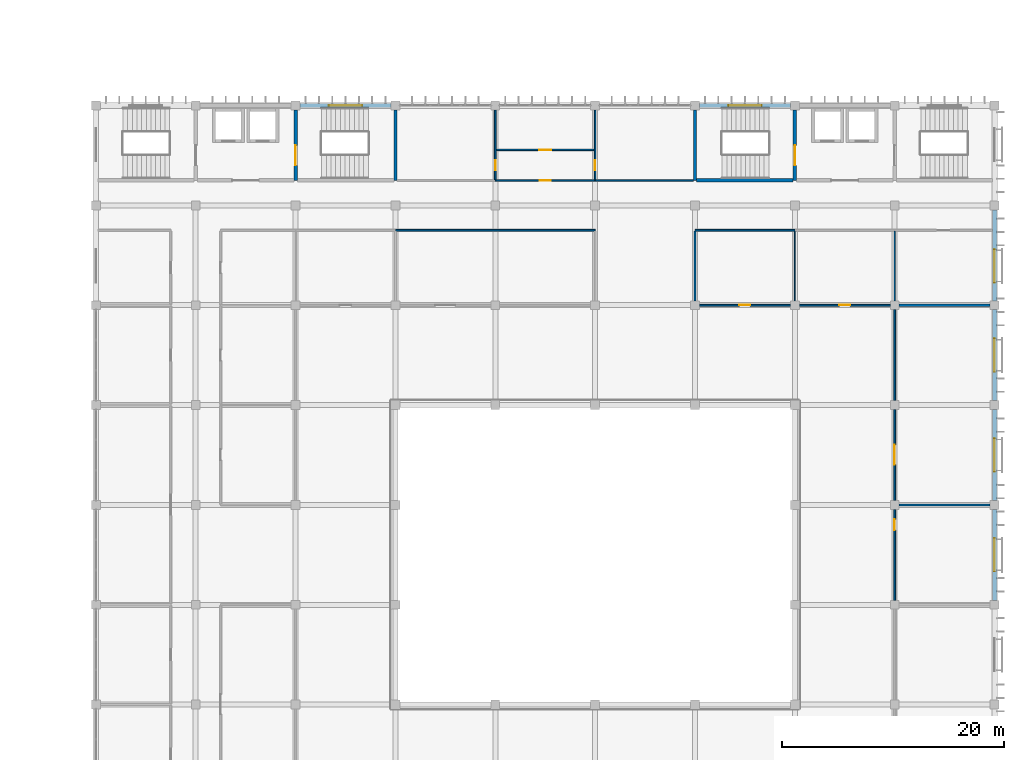
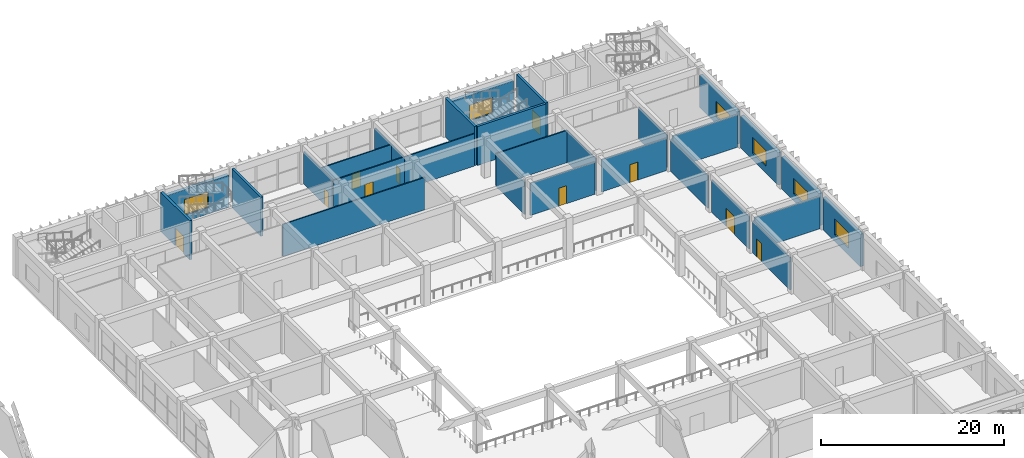
# One storey, part 127 of 185: 28 walls, 10 doors, 6 windows, 16 openings.
"""IFC4 building model written with IfcOpenShell, lengths in metres."""

from ifc_helpers import new_model, si_unit, direction, frame, frame_2d, origin, place, context, subcontext, project, spatial, rectangle, extrude, material, layer, layer_set, type_object, element, fill, save


model = new_model("IFC4")

# Units and contexts
model_context = context("Model", 3, precision=1e-05, world=origin(), true_north=direction((0.0, 1.0)))
body_context = subcontext(model_context, "Body", "Model", "MODEL_VIEW")
ifc_project = project(units=[si_unit("LENGTHUNIT", "METRE"), si_unit("AREAUNIT", "SQUARE_METRE"), si_unit("VOLUMEUNIT", "CUBIC_METRE"), si_unit("PLANEANGLEUNIT", "RADIAN"), si_unit("MASSUNIT", "GRAM", prefix="KILO")], contexts=[model_context])

# Site, building, storey
site_placement = place(None, origin())
site = spatial("IfcSite", under=ifc_project, at=site_placement, CompositionType="ELEMENT")
building_placement = place(site_placement, origin())
building = spatial("IfcBuilding", under=site, at=building_placement, Name="Opaline Strait Convention Centre", CompositionType="ELEMENT")
storey_placement = place(building_placement, frame((0.0, 0.0, 6.0)))
storey = spatial("IfcBuildingStorey", under=building, at=storey_placement, Name="L01", CompositionType="ELEMENT", Elevation=6.0)

# Walls
ifc_material_1 = material(Name="Gypsum board")
ifc_layer_1 = layer(ifc_material_1, 0.050048828125)
ifc_material_2 = material(Name="Steel stud and mineral wool", Category="steel")
ifc_layer_2 = layer(ifc_material_2, 0.10009765625)
ifc_layer_3 = layer(ifc_material_1, 0.050048828125)
ifc_layer_set_1 = layer_set([ifc_layer_1, ifc_layer_2, ifc_layer_3], Name="Gypsum board, Steel stud and mineral wool, Gypsum board")
wall_type_1 = type_object("IfcWallType", Name="Acoustic partition 200 EI45", PredefinedType="PARTITIONING", material=ifc_layer_set_1)
for number, where, z_axis, x_axis, name in (
    (1, (351.39990234375, 144.0, 0.0), (0.0, 0.0, 1.0), (1.0, 0.0, 0.0), "MPW5 partition Breakout Room 1.24 N"),
    (2, (351.39990234375, 162.0, 0.0), (0.0, 0.0, 1.0), (1.0, 0.0, 0.0), "MPW5 partition Seminar Room 1.25 N"),
):
    element("IfcWall", number, at=place(storey_placement, frame(where, z_axis=z_axis, x_axis=x_axis)), inside=storey, type_object=wall_type_1, Name=name, PredefinedType="PARTITIONING", context=body_context, shape_type="SweptSolid", body=[
        extrude(rectangle(XDim=8.2001953125, YDim=0.199951171875, at=frame_2d((4.10009765625, 0.0))), origin(), (0.0, 0.0, 1.0), 4.320068359375),
    ])
ifc_layer_4 = layer(ifc_material_1, 0.032470703125)
ifc_layer_5 = layer(ifc_material_2, 0.0849609375)
ifc_layer_6 = layer(ifc_material_1, 0.032470703125)
ifc_layer_set_2 = layer_set([ifc_layer_4, ifc_layer_5, ifc_layer_6], Name="Gypsum board, Steel stud and mineral wool, Gypsum board")
wall_type_2 = type_object("IfcWallType", Name="Corridor partition 150 EI60", PredefinedType="PARTITIONING", material=ifc_layer_set_2)
wall_1_placement = place(storey_placement, frame((306.0, 168.75, 0.0), z_axis=(0.0, 0.0, 1.0), x_axis=(1.0, 0.0, 0.0)))
element("IfcWall", 3, at=wall_1_placement, inside=storey, type_object=wall_type_2, Name="MPW1 partition Meeting Room 1.20 N", PredefinedType="PARTITIONING", context=body_context, shape_type="SweptSolid", body=[
    extrude(rectangle(XDim=18.0, YDim=0.14990234375, at=frame_2d((9.0, 0.0))), origin(), (0.0, 0.0, 1.0), 4.320068359375),
])

# Wall, opening, door
wall_2_placement = place(storey_placement, frame((333.39990234375, 162.0, 0.0), z_axis=(0.0, 0.0, 1.0), x_axis=(1.0, 0.0, 0.0)))
wall_2 = element("IfcWall", 4, at=wall_2_placement, inside=storey, type_object=wall_type_2, Name="MPW1 partition Speaker Preparation Room 1.21 S", PredefinedType="PARTITIONING", context=body_context, shape_type="SweptSolid", body=[
    extrude(rectangle(XDim=8.2001953125, YDim=0.14990234375, at=frame_2d((4.10009765625, 0.0))), origin(), (0.0, 0.0, 1.0), 4.320068359375),
])
opening_1_placement = place(wall_2_placement, frame((3.60009765625, 0.0, 0.0)))
opening_1 = element("IfcOpeningElement", 5, at=opening_1_placement, cuts=wall_2, Name="Opening M1-041", PredefinedType="OPENING", context=body_context, shape_type="SweptSolid", body=[
    extrude(rectangle(XDim=1.0, YDim=2.39990234375, at=frame_2d((0.5, 1.199951171875))), frame((0.0, 0.0849609375, 0.0), z_axis=(0.0, -1.0, 0.0), x_axis=(1.0, 0.0, 0.0)), (0.0, 0.0, 1.0), 0.169921875),
])
ifc_material_3 = material(Name="Solid-core timber leaf, steel frame door set", Category="steel")
door_type_1 = type_object("IfcDoorType", Name="Meeting room door FD30 1000 x 2400", OperationType="SINGLE_SWING_LEFT", PredefinedType="DOOR", material=ifc_material_3)
door_1_placement = place(opening_1_placement, frame((1.0, 0.0, 0.0), z_axis=(0.0, 0.0, 1.0), x_axis=(-1.0, 0.0, 0.0)))
door_1 = element("IfcDoor", 6, at=door_1_placement, inside=storey, type_object=door_type_1, Name="Door Speaker Preparation Room 1.21", ObjectType="MD8", OperationType="SINGLE_SWING_LEFT", OverallHeight=2.39990234375, OverallWidth=1.0, PredefinedType="DOOR", context=body_context, shape_type="SweptSolid", body=[
    extrude(rectangle(XDim=1.0, YDim=2.39990234375, at=frame_2d((0.5, 1.199951171875))), frame((0.0, 0.02490234375, 0.0), z_axis=(0.0, -1.0, 0.0), x_axis=(1.0, 0.0, 0.0)), (0.0, 0.0, 1.0), 0.050048828125),
])
fill(opening_1, door_1)

# Walls
wall_3_placement = place(storey_placement, frame((333.0, 168.75, 0.0), z_axis=(0.0, 0.0, 1.0), x_axis=(1.0, 0.0, 0.0)))
element("IfcWall", 7, at=wall_3_placement, inside=storey, type_object=wall_type_2, Name="MPW1 partition Speaker Preparation Room 1.21 N", PredefinedType="PARTITIONING", context=body_context, shape_type="SweptSolid", body=[
    extrude(rectangle(XDim=9.0, YDim=0.14990234375, at=frame_2d((4.5, 0.0))), origin(), (0.0, 0.0, 1.0), 4.320068359375),
])
wall_4_placement = place(storey_placement, frame((333.0, 162.39990234375, 0.0), z_axis=(0.0, 0.0, 1.0), x_axis=(0.0, 1.0, 0.0)))
element("IfcWall", 8, at=wall_4_placement, inside=storey, type_object=wall_type_2, Name="MPW1 partition Speaker Preparation Room 1.21 W", PredefinedType="PARTITIONING", context=body_context, shape_type="SweptSolid", body=[
    extrude(rectangle(XDim=6.275146484375, YDim=0.14990234375, at=frame_2d((3.1376953125, 0.0))), origin(), (0.0, 0.0, 1.0), 4.320068359375),
])

# Wall, opening, door
wall_5_placement = place(storey_placement, frame((342.39990234375, 162.0, 0.0), z_axis=(0.0, 0.0, 1.0), x_axis=(1.0, 0.0, 0.0)))
wall_5 = element("IfcWall", 9, at=wall_5_placement, inside=storey, type_object=wall_type_2, Name="MPW1 partition Nursing Room 1.22 S", PredefinedType="PARTITIONING", context=body_context, shape_type="SweptSolid", body=[
    extrude(rectangle(XDim=8.2001953125, YDim=0.14990234375, at=frame_2d((4.10009765625, 0.0))), origin(), (0.0, 0.0, 1.0), 4.320068359375),
])
opening_2_placement = place(wall_5_placement, frame((3.60009765625, 0.0, 0.0)))
opening_2 = element("IfcOpeningElement", 10, at=opening_2_placement, cuts=wall_5, Name="Opening M1-042", PredefinedType="OPENING", context=body_context, shape_type="SweptSolid", body=[
    extrude(rectangle(XDim=1.0, YDim=2.39990234375, at=frame_2d((0.5, 1.199951171875))), frame((0.0, 0.0849609375, 0.0), z_axis=(0.0, -1.0, 0.0), x_axis=(1.0, 0.0, 0.0)), (0.0, 0.0, 1.0), 0.169921875),
])
door_2_placement = place(opening_2_placement, frame((1.0, 0.0, 0.0), z_axis=(0.0, 0.0, 1.0), x_axis=(-1.0, 0.0, 0.0)))
door_2 = element("IfcDoor", 11, at=door_2_placement, inside=storey, type_object=door_type_1, Name="Door Nursing Room 1.22", ObjectType="MD8", OperationType="SINGLE_SWING_LEFT", OverallHeight=2.39990234375, OverallWidth=1.0, PredefinedType="DOOR", context=body_context, shape_type="SweptSolid", body=[
    extrude(rectangle(XDim=1.0, YDim=2.39990234375, at=frame_2d((0.5, 1.199951171875))), frame((0.0, 0.02490234375, 0.0), z_axis=(0.0, -1.0, 0.0), x_axis=(1.0, 0.0, 0.0)), (0.0, 0.0, 1.0), 0.050048828125),
])
fill(opening_2, door_2)

wall_6_placement = place(storey_placement, frame((351.0, 135.39990234375, 0.0), z_axis=(0.0, 0.0, 1.0), x_axis=(0.0, 1.0, 0.0)))
wall_6 = element("IfcWall", 12, at=wall_6_placement, inside=storey, type_object=wall_type_2, Name="MPW1 partition Breakout Room 1.24 W", PredefinedType="PARTITIONING", context=body_context, shape_type="SweptSolid", body=[
    extrude(rectangle(XDim=8.2001953125, YDim=0.14990234375, at=frame_2d((4.10009765625, 0.0))), origin(), (0.0, 0.0, 1.0), 4.320068359375),
])
opening_3_placement = place(wall_6_placement, frame((6.30029296875, 0.0, 0.0)))
opening_3 = element("IfcOpeningElement", 13, at=opening_3_placement, cuts=wall_6, Name="Opening M1-044", PredefinedType="OPENING", context=body_context, shape_type="SweptSolid", body=[
    extrude(rectangle(XDim=1.0, YDim=2.39990234375, at=frame_2d((0.5, 1.199951171875))), frame((0.0, 0.0849609375, 0.0), z_axis=(0.0, -1.0, 0.0), x_axis=(1.0, 0.0, 0.0)), (0.0, 0.0, 1.0), 0.169921875),
])
door_3_placement = place(opening_3_placement, origin())
door_3 = element("IfcDoor", 14, at=door_3_placement, inside=storey, type_object=door_type_1, Name="Door Breakout Room 1.24", ObjectType="MD8", OperationType="SINGLE_SWING_RIGHT", OverallHeight=2.39990234375, OverallWidth=1.0, PredefinedType="DOOR", context=body_context, shape_type="SweptSolid", body=[
    extrude(rectangle(XDim=1.0, YDim=2.39990234375, at=frame_2d((0.5, 1.199951171875))), frame((0.0, 0.02490234375, 0.0), z_axis=(0.0, -1.0, 0.0), x_axis=(1.0, 0.0, 0.0)), (0.0, 0.0, 1.0), 0.050048828125),
])
fill(opening_3, door_3)

wall_7_placement = place(storey_placement, frame((351.0, 144.39990234375, 0.0), z_axis=(0.0, 0.0, 1.0), x_axis=(0.0, 1.0, 0.0)))
wall_7 = element("IfcWall", 15, at=wall_7_placement, inside=storey, type_object=wall_type_2, Name="MPW1 partition Seminar Room 1.25 W", PredefinedType="PARTITIONING", context=body_context, shape_type="SweptSolid", body=[
    extrude(rectangle(XDim=8.2001953125, YDim=0.14990234375, at=frame_2d((4.10009765625, 0.0))), origin(), (0.0, 0.0, 1.0), 4.320068359375),
])
opening_4_placement = place(wall_7_placement, frame((3.2001953125, 0.0, 0.0)))
opening_4 = element("IfcOpeningElement", 16, at=opening_4_placement, cuts=wall_7, Name="Opening M1-045", PredefinedType="OPENING", context=body_context, shape_type="SweptSolid", body=[
    extrude(rectangle(XDim=1.800048828125, YDim=2.39990234375, at=frame_2d((0.89990234375, 1.199951171875))), frame((0.0, 0.0849609375, 0.0), z_axis=(0.0, -1.0, 0.0), x_axis=(1.0, 0.0, 0.0)), (0.0, 0.0, 1.0), 0.169921875),
])
door_type_2 = type_object("IfcDoorType", Name="Meeting room double door FD30 1800 x 2400", OperationType="DOUBLE_DOOR_SINGLE_SWING", PredefinedType="DOOR", material=ifc_material_3)
door_4_placement = place(opening_4_placement, origin())
door_4 = element("IfcDoor", 17, at=door_4_placement, inside=storey, type_object=door_type_2, Name="Door Seminar Room 1.25", ObjectType="MD7", OperationType="DOUBLE_DOOR_SINGLE_SWING", OverallHeight=2.39990234375, OverallWidth=1.800048828125, PredefinedType="DOOR", context=body_context, shape_type="SweptSolid", body=[
    extrude(rectangle(XDim=1.800048828125, YDim=2.39990234375, at=frame_2d((0.89990234375, 1.199951171875))), frame((0.0, 0.02490234375, 0.0), z_axis=(0.0, -1.0, 0.0), x_axis=(1.0, 0.0, 0.0)), (0.0, 0.0, 1.0), 0.050048828125),
])
fill(opening_4, door_4)

# Walls
wall_8_placement = place(storey_placement, frame((351.0, 153.39990234375, 0.0), z_axis=(0.0, 0.0, 1.0), x_axis=(0.0, 1.0, 0.0)))
element("IfcWall", 18, at=wall_8_placement, inside=storey, type_object=wall_type_2, Name="MPW1 partition Seminar Room 1.25 W", PredefinedType="PARTITIONING", context=body_context, shape_type="SweptSolid", body=[
    extrude(rectangle(XDim=8.2001953125, YDim=0.14990234375, at=frame_2d((4.10009765625, 0.0))), origin(), (0.0, 0.0, 1.0), 4.320068359375),
])
wall_9_placement = place(storey_placement, frame((324.0, 173.25, 0.0), z_axis=(0.0, 0.0, 1.0), x_axis=(1.0, 0.0, 0.0)))
element("IfcWall", 19, at=wall_9_placement, inside=storey, type_object=wall_type_2, Name="MPW1 partition Women's WC 1.N S", PredefinedType="PARTITIONING", context=body_context, shape_type="SweptSolid", body=[
    extrude(rectangle(XDim=8.85009765625, YDim=0.14990234375, at=frame_2d((4.425048828125, 0.0))), origin(), (0.0, 0.0, 1.0), 4.320068359375),
])

# Wall, opening, door
wall_10_placement = place(storey_placement, frame((315.0, 173.25, 0.0), z_axis=(0.0, 0.0, 1.0), x_axis=(1.0, 0.0, 0.0)))
wall_10 = element("IfcWall", 20, at=wall_10_placement, inside=storey, type_object=wall_type_2, Name="MPW1 partition WC Lobby 1.N S", PredefinedType="PARTITIONING", context=body_context, shape_type="SweptSolid", body=[
    extrude(rectangle(XDim=9.0, YDim=0.14990234375, at=frame_2d((4.5, 0.0))), origin(), (0.0, 0.0, 1.0), 4.320068359375),
])
opening_5_placement = place(wall_10_placement, frame((4.0, 0.0, 0.0)))
opening_5 = element("IfcOpeningElement", 21, at=opening_5_placement, cuts=wall_10, Name="Opening M1-055", PredefinedType="OPENING", context=body_context, shape_type="SweptSolid", body=[
    extrude(rectangle(XDim=1.0, YDim=2.39990234375, at=frame_2d((0.5, 1.199951171875))), frame((0.0, 0.0849609375, 0.0), z_axis=(0.0, -1.0, 0.0), x_axis=(1.0, 0.0, 0.0)), (0.0, 0.0, 1.0), 0.169921875),
])
door_5_placement = place(opening_5_placement, frame((1.0, 0.0, 0.0), z_axis=(0.0, 0.0, 1.0), x_axis=(-1.0, 0.0, 0.0)))
door_5 = element("IfcDoor", 22, at=door_5_placement, inside=storey, type_object=door_type_1, Name="Door WC Lobby 1.N", ObjectType="MD8", OperationType="SINGLE_SWING_LEFT", OverallHeight=2.39990234375, OverallWidth=1.0, PredefinedType="DOOR", context=body_context, shape_type="SweptSolid", body=[
    extrude(rectangle(XDim=1.0, YDim=2.39990234375, at=frame_2d((0.5, 1.199951171875))), frame((0.0, 0.02490234375, 0.0), z_axis=(0.0, -1.0, 0.0), x_axis=(1.0, 0.0, 0.0)), (0.0, 0.0, 1.0), 0.050048828125),
])
fill(opening_5, door_5)

# Wall, opening, window
ifc_material_4 = material(Name="Concrete C40 precast", Category="concrete")
ifc_layer_7 = layer(ifc_material_4, 0.10009765625)
ifc_material_5 = material(Name="Mineral wool insulation")
ifc_layer_8 = layer(ifc_material_5, 0.14990234375)
ifc_layer_9 = layer(ifc_material_4, 0.14990234375)
ifc_layer_set_3 = layer_set([ifc_layer_7, ifc_layer_8, ifc_layer_9], Name="Concrete C40 precast, Mineral wool insulation, Concrete C40 precast")
wall_type_3 = type_object("IfcWallType", Name="External wall 400 insulated precast EI60", PredefinedType="STANDARD", material=ifc_layer_set_3)
wall_11_placement = place(storey_placement, frame((297.39990234375, 180.0, 0.0), z_axis=(0.0, 0.0, 1.0), x_axis=(1.0, 0.0, 0.0)))
wall_11 = element("IfcWall", 23, at=wall_11_placement, inside=storey, type_object=wall_type_3, Name="External wall N L01 34/W", PredefinedType="STANDARD", context=body_context, shape_type="SweptSolid", body=[
    extrude(rectangle(XDim=8.2001953125, YDim=0.39990234375, at=frame_2d((4.10009765625, 0.0))), origin(), (0.0, 0.0, 1.0), 4.320068359375),
])
opening_6_placement = place(wall_11_placement, frame((2.60009765625, 0.0, 0.89990234375)))
opening_6 = element("IfcOpeningElement", 24, at=opening_6_placement, cuts=wall_11, Name="Opening MW2", PredefinedType="OPENING", context=body_context, shape_type="SweptSolid", body=[
    extrude(rectangle(XDim=3.0, YDim=2.10009765625, at=frame_2d((1.5, 1.050048828125))), frame((0.0, 0.2099609375, 0.0), z_axis=(0.0, -1.0, 0.0), x_axis=(1.0, 0.0, 0.0)), (0.0, 0.0, 1.0), 0.419921875),
])
ifc_material_6 = material(Name="Aluminium framed double glazing", Category="aluminium")
window_type = type_object("IfcWindowType", Name="Window 3000 x 2100", PartitioningType="TRIPLE_PANEL_VERTICAL", PredefinedType="WINDOW", material=ifc_material_6)
window_1_placement = place(opening_6_placement, origin())
window_1 = element("IfcWindow", 25, at=window_1_placement, inside=storey, type_object=window_type, Name="Window Escape Stair S6 N", OverallHeight=2.10009765625, OverallWidth=3.0, PartitioningType="TRIPLE_PANEL_VERTICAL", PredefinedType="WINDOW", context=body_context, shape_type="SweptSolid", body=[
    extrude(rectangle(XDim=3.0, YDim=2.10009765625, at=frame_2d((1.5, 1.050048828125))), frame((0.0, 0.030029296875, 0.0), z_axis=(0.0, -1.0, 0.0), x_axis=(1.0, 0.0, 0.0)), (0.0, 0.0, 1.0), 0.06005859375),
])
fill(opening_6, window_1)

wall_12_placement = place(storey_placement, frame((333.39990234375, 180.0, 0.0), z_axis=(0.0, 0.0, 1.0), x_axis=(1.0, 0.0, 0.0)))
wall_12 = element("IfcWall", 26, at=wall_12_placement, inside=storey, type_object=wall_type_3, Name="External wall N L01 38/W", PredefinedType="STANDARD", context=body_context, shape_type="SweptSolid", body=[
    extrude(rectangle(XDim=8.2001953125, YDim=0.39990234375, at=frame_2d((4.10009765625, 0.0))), origin(), (0.0, 0.0, 1.0), 4.320068359375),
])
opening_7_placement = place(wall_12_placement, frame((2.60009765625, 0.0, 0.89990234375)))
opening_7 = element("IfcOpeningElement", 27, at=opening_7_placement, cuts=wall_12, Name="Opening MW2", PredefinedType="OPENING", context=body_context, shape_type="SweptSolid", body=[
    extrude(rectangle(XDim=3.0, YDim=2.10009765625, at=frame_2d((1.5, 1.050048828125))), frame((0.0, 0.2099609375, 0.0), z_axis=(0.0, -1.0, 0.0), x_axis=(1.0, 0.0, 0.0)), (0.0, 0.0, 1.0), 0.419921875),
])
window_2_placement = place(opening_7_placement, origin())
window_2 = element("IfcWindow", 28, at=window_2_placement, inside=storey, type_object=window_type, Name="Window Escape Stair S8 N", OverallHeight=2.10009765625, OverallWidth=3.0, PartitioningType="TRIPLE_PANEL_VERTICAL", PredefinedType="WINDOW", context=body_context, shape_type="SweptSolid", body=[
    extrude(rectangle(XDim=3.0, YDim=2.10009765625, at=frame_2d((1.5, 1.050048828125))), frame((0.0, 0.030029296875, 0.0), z_axis=(0.0, -1.0, 0.0), x_axis=(1.0, 0.0, 0.0)), (0.0, 0.0, 1.0), 0.06005859375),
])
fill(opening_7, window_2)

wall_13_placement = place(storey_placement, frame((360.0, 135.39990234375, 0.0), z_axis=(0.0, 0.0, 1.0), x_axis=(0.0, 1.0, 0.0)))
wall_13 = element("IfcWall", 29, at=wall_13_placement, inside=storey, type_object=wall_type_3, Name="External wall E L01 41/R", PredefinedType="STANDARD", context=body_context, shape_type="SweptSolid", body=[
    extrude(rectangle(XDim=8.2001953125, YDim=0.39990234375, at=frame_2d((4.10009765625, 0.0))), origin(), (0.0, 0.0, 1.0), 4.320068359375),
])
opening_8_placement = place(wall_13_placement, frame((2.60009765625, 0.0, 0.89990234375)))
opening_8 = element("IfcOpeningElement", 30, at=opening_8_placement, cuts=wall_13, Name="Opening MW2", PredefinedType="OPENING", context=body_context, shape_type="SweptSolid", body=[
    extrude(rectangle(XDim=3.0, YDim=2.10009765625, at=frame_2d((1.5, 1.050048828125))), frame((0.0, 0.2099609375, 0.0), z_axis=(0.0, -1.0, 0.0), x_axis=(1.0, 0.0, 0.0)), (0.0, 0.0, 1.0), 0.419921875),
])
window_3_placement = place(opening_8_placement, origin())
window_3 = element("IfcWindow", 31, at=window_3_placement, inside=storey, type_object=window_type, Name="Window Breakout Room 1.24 E", OverallHeight=2.10009765625, OverallWidth=3.0, PartitioningType="TRIPLE_PANEL_VERTICAL", PredefinedType="WINDOW", context=body_context, shape_type="SweptSolid", body=[
    extrude(rectangle(XDim=3.0, YDim=2.10009765625, at=frame_2d((1.5, 1.050048828125))), frame((0.0, 0.030029296875, 0.0), z_axis=(0.0, -1.0, 0.0), x_axis=(1.0, 0.0, 0.0)), (0.0, 0.0, 1.0), 0.06005859375),
])
fill(opening_8, window_3)

wall_14_placement = place(storey_placement, frame((360.0, 144.39990234375, 0.0), z_axis=(0.0, 0.0, 1.0), x_axis=(0.0, 1.0, 0.0)))
wall_14 = element("IfcWall", 32, at=wall_14_placement, inside=storey, type_object=wall_type_3, Name="External wall E L01 41/S", PredefinedType="STANDARD", context=body_context, shape_type="SweptSolid", body=[
    extrude(rectangle(XDim=8.2001953125, YDim=0.39990234375, at=frame_2d((4.10009765625, 0.0))), origin(), (0.0, 0.0, 1.0), 4.320068359375),
])
opening_9_placement = place(wall_14_placement, frame((2.60009765625, 0.0, 0.89990234375)))
opening_9 = element("IfcOpeningElement", 33, at=opening_9_placement, cuts=wall_14, Name="Opening MW2", PredefinedType="OPENING", context=body_context, shape_type="SweptSolid", body=[
    extrude(rectangle(XDim=3.0, YDim=2.10009765625, at=frame_2d((1.5, 1.050048828125))), frame((0.0, 0.2099609375, 0.0), z_axis=(0.0, -1.0, 0.0), x_axis=(1.0, 0.0, 0.0)), (0.0, 0.0, 1.0), 0.419921875),
])
window_4_placement = place(opening_9_placement, origin())
window_4 = element("IfcWindow", 34, at=window_4_placement, inside=storey, type_object=window_type, Name="Window Seminar Room 1.25 E", OverallHeight=2.10009765625, OverallWidth=3.0, PartitioningType="TRIPLE_PANEL_VERTICAL", PredefinedType="WINDOW", context=body_context, shape_type="SweptSolid", body=[
    extrude(rectangle(XDim=3.0, YDim=2.10009765625, at=frame_2d((1.5, 1.050048828125))), frame((0.0, 0.030029296875, 0.0), z_axis=(0.0, -1.0, 0.0), x_axis=(1.0, 0.0, 0.0)), (0.0, 0.0, 1.0), 0.06005859375),
])
fill(opening_9, window_4)

wall_15_placement = place(storey_placement, frame((360.0, 153.39990234375, 0.0), z_axis=(0.0, 0.0, 1.0), x_axis=(0.0, 1.0, 0.0)))
wall_15 = element("IfcWall", 35, at=wall_15_placement, inside=storey, type_object=wall_type_3, Name="External wall E L01 41/T", PredefinedType="STANDARD", context=body_context, shape_type="SweptSolid", body=[
    extrude(rectangle(XDim=8.2001953125, YDim=0.39990234375, at=frame_2d((4.10009765625, 0.0))), origin(), (0.0, 0.0, 1.0), 4.320068359375),
])
opening_10_placement = place(wall_15_placement, frame((2.60009765625, 0.0, 0.89990234375)))
opening_10 = element("IfcOpeningElement", 36, at=opening_10_placement, cuts=wall_15, Name="Opening MW2", PredefinedType="OPENING", context=body_context, shape_type="SweptSolid", body=[
    extrude(rectangle(XDim=3.0, YDim=2.10009765625, at=frame_2d((1.5, 1.050048828125))), frame((0.0, 0.2099609375, 0.0), z_axis=(0.0, -1.0, 0.0), x_axis=(1.0, 0.0, 0.0)), (0.0, 0.0, 1.0), 0.419921875),
])
window_5_placement = place(opening_10_placement, origin())
window_5 = element("IfcWindow", 37, at=window_5_placement, inside=storey, type_object=window_type, Name="Window Seminar Room 1.25 E", OverallHeight=2.10009765625, OverallWidth=3.0, PartitioningType="TRIPLE_PANEL_VERTICAL", PredefinedType="WINDOW", context=body_context, shape_type="SweptSolid", body=[
    extrude(rectangle(XDim=3.0, YDim=2.10009765625, at=frame_2d((1.5, 1.050048828125))), frame((0.0, 0.030029296875, 0.0), z_axis=(0.0, -1.0, 0.0), x_axis=(1.0, 0.0, 0.0)), (0.0, 0.0, 1.0), 0.06005859375),
])
fill(opening_10, window_5)

wall_16_placement = place(storey_placement, frame((360.0, 162.39990234375, 0.0), z_axis=(0.0, 0.0, 1.0), x_axis=(0.0, 1.0, 0.0)))
wall_16 = element("IfcWall", 38, at=wall_16_placement, inside=storey, type_object=wall_type_3, Name="External wall E L01 41/U", PredefinedType="STANDARD", context=body_context, shape_type="SweptSolid", body=[
    extrude(rectangle(XDim=8.2001953125, YDim=0.39990234375, at=frame_2d((4.10009765625, 0.0))), origin(), (0.0, 0.0, 1.0), 4.320068359375),
])
opening_11_placement = place(wall_16_placement, frame((1.6376953125, 0.0, 0.89990234375)))
opening_11 = element("IfcOpeningElement", 39, at=opening_11_placement, cuts=wall_16, Name="Opening MW2", PredefinedType="OPENING", context=body_context, shape_type="SweptSolid", body=[
    extrude(rectangle(XDim=3.0, YDim=2.10009765625, at=frame_2d((1.5, 1.050048828125))), frame((0.0, 0.2099609375, 0.0), z_axis=(0.0, -1.0, 0.0), x_axis=(1.0, 0.0, 0.0)), (0.0, 0.0, 1.0), 0.419921875),
])
window_6_placement = place(opening_11_placement, origin())
window_6 = element("IfcWindow", 40, at=window_6_placement, inside=storey, type_object=window_type, Name="Window Breakout Room 1.27 E", OverallHeight=2.10009765625, OverallWidth=3.0, PartitioningType="TRIPLE_PANEL_VERTICAL", PredefinedType="WINDOW", context=body_context, shape_type="SweptSolid", body=[
    extrude(rectangle(XDim=3.0, YDim=2.10009765625, at=frame_2d((1.5, 1.050048828125))), frame((0.0, 0.030029296875, 0.0), z_axis=(0.0, -1.0, 0.0), x_axis=(1.0, 0.0, 0.0)), (0.0, 0.0, 1.0), 0.06005859375),
])
fill(opening_11, window_6)

# Wall, opening, door
ifc_material_7 = material(Name="Concrete C40", Category="concrete")
ifc_layer_10 = layer(ifc_material_7, 0.300048828125)
ifc_layer_set_4 = layer_set([ifc_layer_10], Name="Concrete C40")
wall_type_4 = type_object("IfcWallType", Name="RC core wall 300 C40", PredefinedType="SHEAR", material=ifc_layer_set_4)
wall_17_placement = place(storey_placement, frame((297.0, 173.25, 0.0), z_axis=(0.0, 0.0, 1.0), x_axis=(0.0, 1.0, 0.0)))
wall_17 = element("IfcWall", 41, at=wall_17_placement, inside=storey, type_object=wall_type_4, Name="Core wall NW-L01", PredefinedType="SHEAR", context=body_context, shape_type="SweptSolid", body=[
    extrude(rectangle(XDim=6.35009765625, YDim=0.300048828125, at=frame_2d((3.175048828125, 0.0))), origin(), (0.0, 0.0, 1.0), 5.219970703125),
])
opening_12_placement = place(wall_17_placement, frame((1.35009765625, 0.0, 0.0)))
opening_12 = element("IfcOpeningElement", 42, at=opening_12_placement, cuts=wall_17, Name="Opening M1-012", PredefinedType="OPENING", context=body_context, shape_type="SweptSolid", body=[
    extrude(rectangle(XDim=1.800048828125, YDim=2.39990234375, at=frame_2d((0.89990234375, 1.199951171875))), frame((0.0, 0.159912109375, 0.0), z_axis=(0.0, -1.0, 0.0), x_axis=(1.0, 0.0, 0.0)), (0.0, 0.0, 1.0), 0.320068359375),
])
ifc_material_8 = material(Name="Steel Q235B", Category="steel")
door_type_3 = type_object("IfcDoorType", Name="Stair door FD60 1800 x 2400", OperationType="DOUBLE_DOOR_SINGLE_SWING", PredefinedType="DOOR", material=ifc_material_8)
door_6_placement = place(opening_12_placement, origin())
door_6 = element("IfcDoor", 43, at=door_6_placement, inside=storey, type_object=door_type_3, Name="Escape stair S6 door L01", ObjectType="MD4", OperationType="DOUBLE_DOOR_SINGLE_SWING", OverallHeight=2.39990234375, OverallWidth=1.800048828125, PredefinedType="DOOR", context=body_context, shape_type="SweptSolid", body=[
    extrude(rectangle(XDim=1.800048828125, YDim=2.39990234375, at=frame_2d((0.89990234375, 1.199951171875))), frame((0.0, 0.02490234375, 0.0), z_axis=(0.0, -1.0, 0.0), x_axis=(1.0, 0.0, 0.0)), (0.0, 0.0, 1.0), 0.050048828125),
])
fill(opening_12, door_6)

# Wall
wall_18_placement = place(storey_placement, frame((306.0, 173.25, 0.0), z_axis=(0.0, 0.0, 1.0), x_axis=(0.0, 1.0, 0.0)))
element("IfcWall", 44, at=wall_18_placement, inside=storey, type_object=wall_type_4, Name="Core wall NW-L01", PredefinedType="SHEAR", context=body_context, shape_type="SweptSolid", body=[
    extrude(rectangle(XDim=6.35009765625, YDim=0.300048828125, at=frame_2d((3.175048828125, 0.0))), origin(), (0.0, 0.0, 1.0), 5.219970703125),
])

# Wall, opening, door
wall_19_placement = place(storey_placement, frame((342.0, 173.25, 0.0), z_axis=(0.0, 0.0, 1.0), x_axis=(0.0, 1.0, 0.0)))
wall_19 = element("IfcWall", 45, at=wall_19_placement, inside=storey, type_object=wall_type_4, Name="Core wall NE-L01", PredefinedType="SHEAR", context=body_context, shape_type="SweptSolid", body=[
    extrude(rectangle(XDim=6.35009765625, YDim=0.300048828125, at=frame_2d((3.175048828125, 0.0))), origin(), (0.0, 0.0, 1.0), 5.219970703125),
])
opening_13_placement = place(wall_19_placement, frame((1.35009765625, 0.0, 0.0)))
opening_13 = element("IfcOpeningElement", 46, at=opening_13_placement, cuts=wall_19, Name="Opening M1-017", PredefinedType="OPENING", context=body_context, shape_type="SweptSolid", body=[
    extrude(rectangle(XDim=1.800048828125, YDim=2.39990234375, at=frame_2d((0.89990234375, 1.199951171875))), frame((0.0, 0.159912109375, 0.0), z_axis=(0.0, -1.0, 0.0), x_axis=(1.0, 0.0, 0.0)), (0.0, 0.0, 1.0), 0.320068359375),
])
door_7_placement = place(opening_13_placement, frame((1.800048828125, 0.0, 0.0), z_axis=(0.0, 0.0, 1.0), x_axis=(-1.0, 0.0, 0.0)))
door_7 = element("IfcDoor", 47, at=door_7_placement, inside=storey, type_object=door_type_3, Name="Escape stair S8 door L01", ObjectType="MD4", OperationType="DOUBLE_DOOR_SINGLE_SWING", OverallHeight=2.39990234375, OverallWidth=1.800048828125, PredefinedType="DOOR", context=body_context, shape_type="SweptSolid", body=[
    extrude(rectangle(XDim=1.800048828125, YDim=2.39990234375, at=frame_2d((0.89990234375, 1.199951171875))), frame((0.0, 0.02490234375, 0.0), z_axis=(0.0, -1.0, 0.0), x_axis=(1.0, 0.0, 0.0)), (0.0, 0.0, 1.0), 0.050048828125),
])
fill(opening_13, door_7)

# Walls
wall_20_placement = place(storey_placement, frame((333.0, 173.25, 0.0), z_axis=(0.0, 0.0, 1.0), x_axis=(0.0, 1.0, 0.0)))
element("IfcWall", 48, at=wall_20_placement, inside=storey, type_object=wall_type_4, Name="Core wall NE-L01", PredefinedType="SHEAR", context=body_context, shape_type="SweptSolid", body=[
    extrude(rectangle(XDim=6.35009765625, YDim=0.300048828125, at=frame_2d((3.175048828125, 0.0))), origin(), (0.0, 0.0, 1.0), 5.219970703125),
])
wall_21_placement = place(storey_placement, frame((333.14990234375, 173.25, 0.0), z_axis=(0.0, 0.0, 1.0), x_axis=(1.0, 0.0, 0.0)))
element("IfcWall", 49, at=wall_21_placement, inside=storey, type_object=wall_type_4, Name="Core wall NE-L01", PredefinedType="SHEAR", context=body_context, shape_type="SweptSolid", body=[
    extrude(rectangle(XDim=8.7001953125, YDim=0.300048828125, at=frame_2d((4.35009765625, 0.0))), origin(), (0.0, 0.0, 1.0), 5.219970703125),
])
ifc_layer_11 = layer(ifc_material_1, 0.012451171875)
ifc_layer_12 = layer(ifc_material_2, 0.074951171875)
ifc_layer_13 = layer(ifc_material_1, 0.012451171875)
ifc_layer_set_5 = layer_set([ifc_layer_11, ifc_layer_12, ifc_layer_13], Name="Gypsum board, Steel stud and mineral wool, Gypsum board")
wall_type_5 = type_object("IfcWallType", Name="Room partition 100 EI45", PredefinedType="PARTITIONING", material=ifc_layer_set_5)
for number, where, z_axis, x_axis, name in (
    (50, (342.0, 162.39990234375, 0.0), (0.0, 0.0, 1.0), (0.0, 1.0, 0.0), "MPW2 partition Speaker Preparation Room 1.21 E"),
    (51, (351.0, 162.39990234375, 0.0), (0.0, 0.0, 1.0), (0.0, 1.0, 0.0), "MPW2 partition Nursing Room 1.22 E"),
):
    element("IfcWall", number, at=place(storey_placement, frame(where, z_axis=z_axis, x_axis=x_axis)), inside=storey, type_object=wall_type_5, Name=name, PredefinedType="PARTITIONING", context=body_context, shape_type="SweptSolid", body=[
        extrude(rectangle(XDim=6.275146484375, YDim=0.10009765625, at=frame_2d((3.1376953125, 0.0))), origin(), (0.0, 0.0, 1.0), 4.320068359375),
    ])

# Wall, opening, door
ifc_layer_14 = layer(ifc_material_1, 0.032470703125)
ifc_layer_15 = layer(ifc_material_2, 0.0849609375)
ifc_layer_16 = layer(ifc_material_1, 0.032470703125)
ifc_layer_set_6 = layer_set([ifc_layer_14, ifc_layer_15, ifc_layer_16], Name="Gypsum board, Steel stud and mineral wool, Gypsum board")
wall_type_6 = type_object("IfcWallType", Name="Wet-area partition 150 EI45", PredefinedType="PARTITIONING", material=ifc_layer_set_6)
wall_22_placement = place(storey_placement, frame((315.0, 173.324951171875, 0.0), z_axis=(0.0, 0.0, 1.0), x_axis=(0.0, 1.0, 0.0)))
wall_22 = element("IfcWall", 52, at=wall_22_placement, inside=storey, type_object=wall_type_6, Name="MPW4 partition Men's WC 1.N E", PredefinedType="PARTITIONING", context=body_context, shape_type="SweptSolid", body=[
    extrude(rectangle(XDim=6.275146484375, YDim=0.14990234375, at=frame_2d((3.1376953125, 0.0))), origin(), (0.0, 0.0, 1.0), 4.320068359375),
])
opening_14_placement = place(wall_22_placement, frame((0.824951171875, 0.0, 0.0)))
opening_14 = element("IfcOpeningElement", 53, at=opening_14_placement, cuts=wall_22, Name="Opening M1-052", PredefinedType="OPENING", context=body_context, shape_type="SweptSolid", body=[
    extrude(rectangle(XDim=0.89990234375, YDim=2.10009765625, at=frame_2d((0.449951171875, 1.050048828125))), frame((0.0, 0.0849609375, 0.0), z_axis=(0.0, -1.0, 0.0), x_axis=(1.0, 0.0, 0.0)), (0.0, 0.0, 1.0), 0.169921875),
])
door_type_4 = type_object("IfcDoorType", Name="WC door 900 x 2100", OperationType="SINGLE_SWING_LEFT", PredefinedType="DOOR", material=ifc_material_3)
door_8_placement = place(opening_14_placement, origin())
door_8 = element("IfcDoor", 54, at=door_8_placement, inside=storey, type_object=door_type_4, Name="Door Men's WC 1.N", ObjectType="MD11", OperationType="SINGLE_SWING_LEFT", OverallHeight=2.10009765625, OverallWidth=0.89990234375, PredefinedType="DOOR", context=body_context, shape_type="SweptSolid", body=[
    extrude(rectangle(XDim=0.89990234375, YDim=2.10009765625, at=frame_2d((0.449951171875, 1.050048828125))), frame((0.0, 0.02490234375, 0.0), z_axis=(0.0, -1.0, 0.0), x_axis=(1.0, 0.0, 0.0)), (0.0, 0.0, 1.0), 0.050048828125),
])
fill(opening_14, door_8)

wall_23_placement = place(storey_placement, frame((324.0, 173.324951171875, 0.0), z_axis=(0.0, 0.0, 1.0), x_axis=(0.0, 1.0, 0.0)))
wall_23 = element("IfcWall", 55, at=wall_23_placement, inside=storey, type_object=wall_type_6, Name="MPW4 partition Women's WC 1.N W", PredefinedType="PARTITIONING", context=body_context, shape_type="SweptSolid", body=[
    extrude(rectangle(XDim=6.275146484375, YDim=0.14990234375, at=frame_2d((3.1376953125, 0.0))), origin(), (0.0, 0.0, 1.0), 4.320068359375),
])
opening_15_placement = place(wall_23_placement, frame((0.824951171875, 0.0, 0.0)))
opening_15 = element("IfcOpeningElement", 56, at=opening_15_placement, cuts=wall_23, Name="Opening M1-053", PredefinedType="OPENING", context=body_context, shape_type="SweptSolid", body=[
    extrude(rectangle(XDim=0.89990234375, YDim=2.10009765625, at=frame_2d((0.449951171875, 1.050048828125))), frame((0.0, 0.0849609375, 0.0), z_axis=(0.0, -1.0, 0.0), x_axis=(1.0, 0.0, 0.0)), (0.0, 0.0, 1.0), 0.169921875),
])
door_9_placement = place(opening_15_placement, frame((0.89990234375, 0.0, 0.0), z_axis=(0.0, 0.0, 1.0), x_axis=(-1.0, 0.0, 0.0)))
door_9 = element("IfcDoor", 57, at=door_9_placement, inside=storey, type_object=door_type_4, Name="Door Women's WC 1.N", ObjectType="MD11", OperationType="SINGLE_SWING_LEFT", OverallHeight=2.10009765625, OverallWidth=0.89990234375, PredefinedType="DOOR", context=body_context, shape_type="SweptSolid", body=[
    extrude(rectangle(XDim=0.89990234375, YDim=2.10009765625, at=frame_2d((0.449951171875, 1.050048828125))), frame((0.0, 0.02490234375, 0.0), z_axis=(0.0, -1.0, 0.0), x_axis=(1.0, 0.0, 0.0)), (0.0, 0.0, 1.0), 0.050048828125),
])
fill(opening_15, door_9)

wall_24_placement = place(storey_placement, frame((315.074951171875, 176.0, 0.0), z_axis=(0.0, 0.0, 1.0), x_axis=(1.0, 0.0, 0.0)))
wall_24 = element("IfcWall", 58, at=wall_24_placement, inside=storey, type_object=wall_type_6, Name="MPW4 partition Accessible WC 1.N S", PredefinedType="PARTITIONING", context=body_context, shape_type="SweptSolid", body=[
    extrude(rectangle(XDim=8.85009765625, YDim=0.14990234375, at=frame_2d((4.425048828125, 0.0))), origin(), (0.0, 0.0, 1.0), 4.320068359375),
])
opening_16_placement = place(wall_24_placement, frame((3.875, 0.0, 0.0)))
opening_16 = element("IfcOpeningElement", 59, at=opening_16_placement, cuts=wall_24, Name="Opening M1-054", PredefinedType="OPENING", context=body_context, shape_type="SweptSolid", body=[
    extrude(rectangle(XDim=1.10009765625, YDim=2.10009765625, at=frame_2d((0.550048828125, 1.050048828125))), frame((0.0, 0.0849609375, 0.0), z_axis=(0.0, -1.0, 0.0), x_axis=(1.0, 0.0, 0.0)), (0.0, 0.0, 1.0), 0.169921875),
])
door_type_5 = type_object("IfcDoorType", Name="Accessible WC door 1100 x 2100", OperationType="SINGLE_SWING_LEFT", PredefinedType="DOOR", material=ifc_material_3)
door_10_placement = place(opening_16_placement, frame((1.10009765625, 0.0, 0.0), z_axis=(0.0, 0.0, 1.0), x_axis=(-1.0, 0.0, 0.0)))
door_10 = element("IfcDoor", 60, at=door_10_placement, inside=storey, type_object=door_type_5, Name="Door Accessible WC 1.N", ObjectType="MD12", OperationType="SINGLE_SWING_LEFT", OverallHeight=2.10009765625, OverallWidth=1.10009765625, PredefinedType="DOOR", context=body_context, shape_type="SweptSolid", body=[
    extrude(rectangle(XDim=1.10009765625, YDim=2.10009765625, at=frame_2d((0.550048828125, 1.050048828125))), frame((0.0, 0.02490234375, 0.0), z_axis=(0.0, -1.0, 0.0), x_axis=(1.0, 0.0, 0.0)), (0.0, 0.0, 1.0), 0.050048828125),
])
fill(opening_16, door_10)

save(model, "model.ifc")
